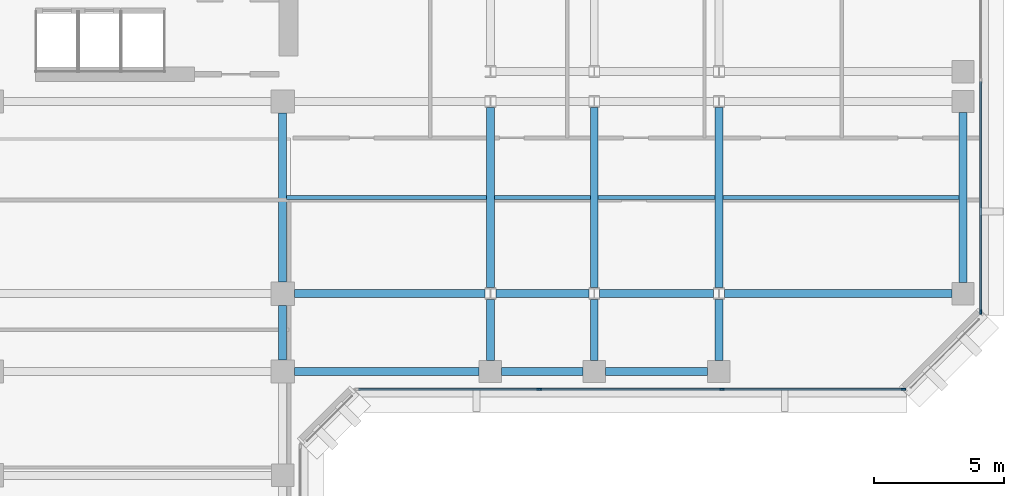
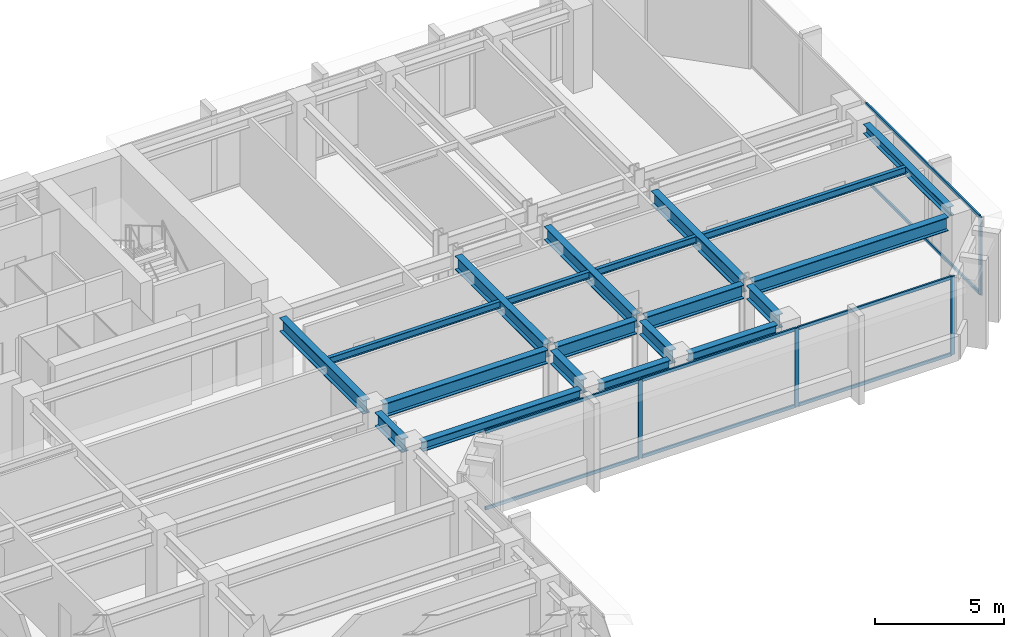
# One storey, part 3 of 11: 20 beams, 12 members, 2 elements without a shape of their own.
"""IFC4 building model written with IfcOpenShell, lengths in metres."""

from ifc_helpers import new_model, si_unit, direction, frame, origin, origin_2d, place, context, subcontext, project, spatial, rectangle, i_section, extrude, material, layer, layer_set, material_profile, profile_set, type_object, element, aggregate, save


model = new_model("IFC4")

# Units and contexts
model_context = context("Model", 3, precision=1e-05, world=origin(), true_north=direction((0.0, 1.0)))
body_context = subcontext(model_context, "Body", "Model", "MODEL_VIEW")
ifc_project = project(units=[si_unit("LENGTHUNIT", "METRE"), si_unit("AREAUNIT", "SQUARE_METRE"), si_unit("VOLUMEUNIT", "CUBIC_METRE"), si_unit("PLANEANGLEUNIT", "RADIAN"), si_unit("MASSUNIT", "GRAM", prefix="KILO")], contexts=[model_context])

# Site, building, storey
site_placement = place(None, origin())
site = spatial("IfcSite", under=ifc_project, at=site_placement, CompositionType="ELEMENT")
building_placement = place(site_placement, origin())
building = spatial("IfcBuilding", under=site, at=building_placement, Name="Kefirva Bronze Tower", CompositionType="ELEMENT")
storey_placement = place(building_placement, frame((0.0, 0.0, 187.43994140625)))
storey = spatial("IfcBuildingStorey", under=building, at=storey_placement, Name="L45", CompositionType="ELEMENT", Elevation=187.43994140625)

# Curtain wall, members
ifc_material_1 = material(Name="Bronze anodised aluminium", Category="aluminium")
ifc_layer = layer(ifc_material_1, 0.199951171875, Name="Bronze anodised aluminium")
ifc_layer_set = layer_set([ifc_layer], Name="Bronze anodised aluminium")
curtain_wall_type = type_object("IfcCurtainWallType", Name="Unitised Bronze Ribbon Curtain Wall Zone 2", PredefinedType="USERDEFINED", material=ifc_layer_set)
curtain_wall_1_placement = place(storey_placement, origin())
curtain_wall_1 = element("IfcCurtainWall", 1, at=curtain_wall_1_placement, inside=storey, type_object=curtain_wall_type, Name="L45 Curtain Wall 3", ObjectType="UNITISED CURTAIN WALL", PredefinedType="USERDEFINED")
ifc_material_profile_1 = material_profile(ifc_material_1, rectangle(XDim=0.074951171875, YDim=0.179931640625, at=origin_2d()), Name="ALU 75x180")
ifc_profile_set_1 = profile_set([ifc_material_profile_1], Name="Bronze anodised aluminium")
member_type_1 = type_object("IfcMemberType", Name="Bronze Mullion 75x180", PredefinedType="MULLION", material=ifc_profile_set_1)
member_1_placement = place(storey_placement, frame((33.0849609375, 22.1201171875, 0.0), z_axis=(0.0, 0.0, 1.0), x_axis=(0.0, 1.0, 0.0)))
member_1 = element("IfcMember", 2, at=member_1_placement, type_object=member_type_1, Name="CW-02 mullion 2", PredefinedType="MULLION", context=body_context, shape_type="SweptSolid", body=[
    extrude(rectangle(XDim=0.074951171875, YDim=0.179931640625, at=origin_2d()), origin(), (0.0, 0.0, 1.0), 3.7099609375),
])
member_2_placement = place(storey_placement, frame((40.114990234375, 22.1201171875, 0.0), z_axis=(0.0, 0.0, 1.0), x_axis=(0.0, 1.0, 0.0)))
member_2 = element("IfcMember", 3, at=member_2_placement, type_object=member_type_1, Name="CW-02 mullion 3", PredefinedType="MULLION", context=body_context, shape_type="SweptSolid", body=[
    extrude(rectangle(XDim=0.074951171875, YDim=0.179931640625, at=origin_2d()), origin(), (0.0, 0.0, 1.0), 3.7099609375),
])
member_3_placement = place(storey_placement, frame((47.107421875, 22.1201171875, 0.0), z_axis=(0.0, 0.0, 1.0), x_axis=(0.0, 1.0, 0.0)))
member_3 = element("IfcMember", 4, at=member_3_placement, type_object=member_type_1, Name="CW-02 mullion 4", PredefinedType="MULLION", context=body_context, shape_type="SweptSolid", body=[
    extrude(rectangle(XDim=0.074951171875, YDim=0.179931640625, at=origin_2d()), origin(), (0.0, 0.0, 1.0), 3.7099609375),
])

# Curtain wall, member
curtain_wall_2_placement = place(storey_placement, origin())
curtain_wall_2 = element("IfcCurtainWall", 5, at=curtain_wall_2_placement, inside=storey, type_object=curtain_wall_type, Name="L45 Curtain Wall 4", ObjectType="UNITISED CURTAIN WALL", PredefinedType="USERDEFINED")
member_4_placement = place(storey_placement, frame((50.080078125, 25.092529296875, 0.0), z_axis=(0.0, 0.0, 1.0), x_axis=(-1.0, 0.0, 0.0)))
member_4 = element("IfcMember", 6, at=member_4_placement, type_object=member_type_1, Name="CW-02 mullion 1", PredefinedType="MULLION", context=body_context, shape_type="SweptSolid", body=[
    extrude(rectangle(XDim=0.074951171875, YDim=0.179931640625, at=origin_2d()), origin(), (0.0, 0.0, 1.0), 3.7099609375),
])

# Member
ifc_material_profile_2 = material_profile(ifc_material_1, rectangle(XDim=0.074951171875, YDim=0.14990234375, at=origin_2d()), Name="ALU 75x150")
ifc_profile_set_2 = profile_set([ifc_material_profile_2], Name="Bronze anodised aluminium")
member_type_2 = type_object("IfcMemberType", Name="Bronze Transom 75x150", PredefinedType="USERDEFINED", material=ifc_profile_set_2)
member_5_placement = place(storey_placement, frame((26.1298828125, 22.1201171875, 0.03759765625), z_axis=(1.0, 0.0, 0.0), x_axis=(0.0, 1.0, 0.0)))
member_5 = element("IfcMember", 7, at=member_5_placement, type_object=member_type_2, Name="CW-02 transom 1.1", ObjectType="TRANSOM", PredefinedType="USERDEFINED", context=body_context, shape_type="SweptSolid", body=[
    extrude(rectangle(XDim=0.074951171875, YDim=0.14990234375, at=origin_2d()), origin(), (0.0, 0.0, 1.0), 6.917724609375),
])

member_6_placement = place(storey_placement, frame((26.1298828125, 22.1201171875, 3.672607421875), z_axis=(1.0, 0.0, 0.0), x_axis=(0.0, 1.0, 0.0)))
member_6 = element("IfcMember", 8, at=member_6_placement, type_object=member_type_2, Name="CW-02 transom 1.2", ObjectType="TRANSOM", PredefinedType="USERDEFINED", context=body_context, shape_type="SweptSolid", body=[
    extrude(rectangle(XDim=0.074951171875, YDim=0.14990234375, at=origin_2d()), origin(), (0.0, 0.0, 1.0), 6.917724609375),
])

member_7_placement = place(storey_placement, frame((33.12255859375, 22.1201171875, 0.03759765625), z_axis=(1.0, 0.0, 0.0), x_axis=(0.0, 1.0, 0.0)))
member_7 = element("IfcMember", 9, at=member_7_placement, type_object=member_type_2, Name="CW-02 transom 2.1", ObjectType="TRANSOM", PredefinedType="USERDEFINED", context=body_context, shape_type="SweptSolid", body=[
    extrude(rectangle(XDim=0.074951171875, YDim=0.14990234375, at=origin_2d()), origin(), (0.0, 0.0, 1.0), 6.954833984375),
])

member_8_placement = place(storey_placement, frame((33.12255859375, 22.1201171875, 3.672607421875), z_axis=(1.0, 0.0, 0.0), x_axis=(0.0, 1.0, 0.0)))
member_8 = element("IfcMember", 10, at=member_8_placement, type_object=member_type_2, Name="CW-02 transom 2.2", ObjectType="TRANSOM", PredefinedType="USERDEFINED", context=body_context, shape_type="SweptSolid", body=[
    extrude(rectangle(XDim=0.074951171875, YDim=0.14990234375, at=origin_2d()), origin(), (0.0, 0.0, 1.0), 6.954833984375),
])

member_9_placement = place(storey_placement, frame((40.152587890625, 22.1201171875, 0.03759765625), z_axis=(1.0, 0.0, 0.0), x_axis=(0.0, 1.0, 0.0)))
member_9 = element("IfcMember", 11, at=member_9_placement, type_object=member_type_2, Name="CW-02 transom 3.1", ObjectType="TRANSOM", PredefinedType="USERDEFINED", context=body_context, shape_type="SweptSolid", body=[
    extrude(rectangle(XDim=0.074951171875, YDim=0.14990234375, at=origin_2d()), origin(), (0.0, 0.0, 1.0), 6.91748046875),
])

member_10_placement = place(storey_placement, frame((40.152587890625, 22.1201171875, 3.672607421875), z_axis=(1.0, 0.0, 0.0), x_axis=(0.0, 1.0, 0.0)))
member_10 = element("IfcMember", 12, at=member_10_placement, type_object=member_type_2, Name="CW-02 transom 3.2", ObjectType="TRANSOM", PredefinedType="USERDEFINED", context=body_context, shape_type="SweptSolid", body=[
    extrude(rectangle(XDim=0.074951171875, YDim=0.14990234375, at=origin_2d()), origin(), (0.0, 0.0, 1.0), 6.91748046875),
])

aggregate(curtain_wall_1, [member_1, member_2, member_3, member_5, member_6, member_7, member_8, member_9, member_10])

member_11_placement = place(storey_placement, frame((50.080078125, 25.1298828125, 0.03759765625), z_axis=(0.0, 1.0, 0.0), x_axis=(-1.0, 0.0, 0.0)))
member_11 = element("IfcMember", 13, at=member_11_placement, type_object=member_type_2, Name="CW-02 transom 1.1", ObjectType="TRANSOM", PredefinedType="USERDEFINED", context=body_context, shape_type="SweptSolid", body=[
    extrude(rectangle(XDim=0.074951171875, YDim=0.14990234375, at=origin_2d()), origin(), (0.0, 0.0, 1.0), 8.83251953125),
])

member_12_placement = place(storey_placement, frame((50.080078125, 25.1298828125, 3.672607421875), z_axis=(0.0, 1.0, 0.0), x_axis=(-1.0, 0.0, 0.0)))
member_12 = element("IfcMember", 14, at=member_12_placement, type_object=member_type_2, Name="CW-02 transom 1.2", ObjectType="TRANSOM", PredefinedType="USERDEFINED", context=body_context, shape_type="SweptSolid", body=[
    extrude(rectangle(XDim=0.074951171875, YDim=0.14990234375, at=origin_2d()), origin(), (0.0, 0.0, 1.0), 8.83251953125),
])

aggregate(curtain_wall_2, [member_4, member_11, member_12])

# Beams
ifc_material_2 = material(Name="Steel S355", Category="steel")
ifc_material_profile_3 = material_profile(ifc_material_2, i_section(OverallWidth=0.159912109375, OverallDepth=0.330078125, WebThickness=0.007568359375, FlangeThickness=0.011474609375, at=origin_2d()), Name="IPE 330")
ifc_profile_set_3 = profile_set([ifc_material_profile_3], Name="Steel S355")
beam_type_1 = type_object("IfcBeamType", Name="Steel Floor Joist IPE 330", PredefinedType="JOIST", material=ifc_profile_set_3)
beam_1_placement = place(storey_placement, frame((23.35009765625, 29.5, 3.545166015625), z_axis=(1.0, 0.0, 0.0), x_axis=(0.0, 1.0, 0.0)))
element("IfcBeam", 15, at=beam_1_placement, inside=storey, type_object=beam_type_1, Name="L45 JST-L45-23-295", PredefinedType="JOIST", context=body_context, shape_type="SweptSolid", body=[
    extrude(i_section(OverallWidth=0.159912109375, OverallDepth=0.330078125, WebThickness=0.007568359375, FlangeThickness=0.011474609375, at=origin_2d()), origin(), (0.0, 0.0, 1.0), 7.699951171875),
])
beam_2_placement = place(storey_placement, frame((31.35009765625, 29.5, 3.545166015625), z_axis=(1.0, 0.0, 0.0), x_axis=(0.0, 1.0, 0.0)))
element("IfcBeam", 16, at=beam_2_placement, inside=storey, type_object=beam_type_1, Name="L45 JST-L45-31-295", PredefinedType="JOIST", context=body_context, shape_type="SweptSolid", body=[
    extrude(i_section(OverallWidth=0.159912109375, OverallDepth=0.330078125, WebThickness=0.007568359375, FlangeThickness=0.011474609375, at=origin_2d()), origin(), (0.0, 0.0, 1.0), 3.699951171875),
])
beam_3_placement = place(storey_placement, frame((35.35009765625, 29.5, 3.545166015625), z_axis=(1.0, 0.0, 0.0), x_axis=(0.0, 1.0, 0.0)))
element("IfcBeam", 17, at=beam_3_placement, inside=storey, type_object=beam_type_1, Name="L45 JST-L45-35-295", PredefinedType="JOIST", context=body_context, shape_type="SweptSolid", body=[
    extrude(i_section(OverallWidth=0.159912109375, OverallDepth=0.330078125, WebThickness=0.007568359375, FlangeThickness=0.011474609375, at=origin_2d()), origin(), (0.0, 0.0, 1.0), 4.5),
])
beam_4_placement = place(storey_placement, frame((40.14990234375, 29.5, 3.545166015625), z_axis=(1.0, 0.0, 0.0), x_axis=(0.0, 1.0, 0.0)))
element("IfcBeam", 18, at=beam_4_placement, inside=storey, type_object=beam_type_1, Name="L45 JST-L45-40-295", PredefinedType="JOIST", context=body_context, shape_type="SweptSolid", body=[
    extrude(i_section(OverallWidth=0.159912109375, OverallDepth=0.330078125, WebThickness=0.007568359375, FlangeThickness=0.011474609375, at=origin_2d()), origin(), (0.0, 0.0, 1.0), 9.10009765625),
])
ifc_material_profile_4 = material_profile(ifc_material_2, i_section(OverallWidth=0.300048828125, OverallDepth=0.64990234375, WebThickness=0.01611328125, FlangeThickness=0.031005859375, at=origin_2d()), Name="HEB 650")
ifc_profile_set_4 = profile_set([ifc_material_profile_4], Name="Steel S355")
beam_type_2 = type_object("IfcBeamType", Name="Steel Girder HEB 650", PredefinedType="USERDEFINED", material=ifc_profile_set_4)
beam_5_placement = place(storey_placement, frame((23.64990234375, 25.800048828125, 3.385009765625), z_axis=(1.0, 0.0, 0.0), x_axis=(0.0, 1.0, 0.0)))
element("IfcBeam", 19, at=beam_5_placement, inside=storey, type_object=beam_type_2, Name="L45 BM-L45-EW-23-258", ObjectType="GIRDER", PredefinedType="USERDEFINED", context=body_context, shape_type="SweptSolid", body=[
    extrude(i_section(OverallWidth=0.300048828125, OverallDepth=0.64990234375, WebThickness=0.01611328125, FlangeThickness=0.031005859375, at=origin_2d()), origin(), (0.0, 0.0, 1.0), 7.341064453125),
])
beam_6_placement = place(storey_placement, frame((31.408935546875, 25.800048828125, 3.385009765625), z_axis=(1.0, 0.0, 0.0), x_axis=(0.0, 1.0, 0.0)))
element("IfcBeam", 20, at=beam_6_placement, inside=storey, type_object=beam_type_2, Name="L45 BM-L45-EW-31-258", ObjectType="GIRDER", PredefinedType="USERDEFINED", context=body_context, shape_type="SweptSolid", body=[
    extrude(i_section(OverallWidth=0.300048828125, OverallDepth=0.64990234375, WebThickness=0.01611328125, FlangeThickness=0.031005859375, at=origin_2d()), origin(), (0.0, 0.0, 1.0), 3.58203125),
])
beam_7_placement = place(storey_placement, frame((35.408935546875, 25.800048828125, 3.385009765625), z_axis=(1.0, 0.0, 0.0), x_axis=(0.0, 1.0, 0.0)))
element("IfcBeam", 21, at=beam_7_placement, inside=storey, type_object=beam_type_2, Name="L45 BM-L45-EW-35-258", ObjectType="GIRDER", PredefinedType="USERDEFINED", context=body_context, shape_type="SweptSolid", body=[
    extrude(i_section(OverallWidth=0.300048828125, OverallDepth=0.64990234375, WebThickness=0.01611328125, FlangeThickness=0.031005859375, at=origin_2d()), origin(), (0.0, 0.0, 1.0), 4.382080078125),
])
beam_8_placement = place(storey_placement, frame((40.208984375, 25.800048828125, 3.385009765625), z_axis=(1.0, 0.0, 0.0), x_axis=(0.0, 1.0, 0.0)))
element("IfcBeam", 22, at=beam_8_placement, inside=storey, type_object=beam_type_2, Name="L45 BM-L45-EW-40-258", ObjectType="GIRDER", PredefinedType="USERDEFINED", context=body_context, shape_type="SweptSolid", body=[
    extrude(i_section(OverallWidth=0.300048828125, OverallDepth=0.64990234375, WebThickness=0.01611328125, FlangeThickness=0.031005859375, at=origin_2d()), origin(), (0.0, 0.0, 1.0), 8.760986328125),
])
beam_9_placement = place(storey_placement, frame((23.199951171875, 23.25, 3.385009765625), z_axis=(0.0, 1.0, 0.0), x_axis=(-1.0, 0.0, 0.0)))
element("IfcBeam", 23, at=beam_9_placement, inside=storey, type_object=beam_type_2, Name="L45 BM-L45-NS-232-22", ObjectType="GIRDER", PredefinedType="USERDEFINED", context=body_context, shape_type="SweptSolid", body=[
    extrude(i_section(OverallWidth=0.300048828125, OverallDepth=0.64990234375, WebThickness=0.01611328125, FlangeThickness=0.031005859375, at=origin_2d()), origin(), (0.0, 0.0, 1.0), 2.10009765625),
])
beam_10_placement = place(storey_placement, frame((23.199951171875, 26.25, 3.385009765625), z_axis=(0.0, 1.0, 0.0), x_axis=(-1.0, 0.0, 0.0)))
element("IfcBeam", 24, at=beam_10_placement, inside=storey, type_object=beam_type_2, Name="L45 BM-L45-NS-232-25", ObjectType="GIRDER", PredefinedType="USERDEFINED", context=body_context, shape_type="SweptSolid", body=[
    extrude(i_section(OverallWidth=0.300048828125, OverallDepth=0.64990234375, WebThickness=0.01611328125, FlangeThickness=0.031005859375, at=origin_2d()), origin(), (0.0, 0.0, 1.0), 6.5),
])
beam_11_placement = place(storey_placement, frame((31.199951171875, 23.22998046875, 3.385009765625), z_axis=(0.0, 1.0, 0.0), x_axis=(-1.0, 0.0, 0.0)))
element("IfcBeam", 25, at=beam_11_placement, inside=storey, type_object=beam_type_2, Name="L45 BM-L45-NS-312-22", ObjectType="GIRDER", PredefinedType="USERDEFINED", context=body_context, shape_type="SweptSolid", body=[
    extrude(i_section(OverallWidth=0.300048828125, OverallDepth=0.64990234375, WebThickness=0.01611328125, FlangeThickness=0.031005859375, at=origin_2d()), origin(), (0.0, 0.0, 1.0), 2.342529296875),
])
beam_12_placement = place(storey_placement, frame((31.199951171875, 26.027587890625, 3.385009765625), z_axis=(0.0, 1.0, 0.0), x_axis=(-1.0, 0.0, 0.0)))
element("IfcBeam", 26, at=beam_12_placement, inside=storey, type_object=beam_type_2, Name="L45 BM-L45-NS-312-25", ObjectType="GIRDER", PredefinedType="USERDEFINED", context=body_context, shape_type="SweptSolid", body=[
    extrude(i_section(OverallWidth=0.300048828125, OverallDepth=0.64990234375, WebThickness=0.01611328125, FlangeThickness=0.031005859375, at=origin_2d()), origin(), (0.0, 0.0, 1.0), 6.94482421875),
])
beam_13_placement = place(storey_placement, frame((35.199951171875, 23.22998046875, 3.385009765625), z_axis=(0.0, 1.0, 0.0), x_axis=(-1.0, 0.0, 0.0)))
element("IfcBeam", 27, at=beam_13_placement, inside=storey, type_object=beam_type_2, Name="L45 BM-L45-NS-352-22", ObjectType="GIRDER", PredefinedType="USERDEFINED", context=body_context, shape_type="SweptSolid", body=[
    extrude(i_section(OverallWidth=0.300048828125, OverallDepth=0.64990234375, WebThickness=0.01611328125, FlangeThickness=0.031005859375, at=origin_2d()), origin(), (0.0, 0.0, 1.0), 2.342529296875),
])
beam_14_placement = place(storey_placement, frame((35.199951171875, 26.027587890625, 3.385009765625), z_axis=(0.0, 1.0, 0.0), x_axis=(-1.0, 0.0, 0.0)))
element("IfcBeam", 28, at=beam_14_placement, inside=storey, type_object=beam_type_2, Name="L45 BM-L45-NS-352-25", ObjectType="GIRDER", PredefinedType="USERDEFINED", context=body_context, shape_type="SweptSolid", body=[
    extrude(i_section(OverallWidth=0.300048828125, OverallDepth=0.64990234375, WebThickness=0.01611328125, FlangeThickness=0.031005859375, at=origin_2d()), origin(), (0.0, 0.0, 1.0), 6.94482421875),
])
beam_15_placement = place(storey_placement, frame((40.0, 23.22998046875, 3.385009765625), z_axis=(0.0, 1.0, 0.0), x_axis=(-1.0, 0.0, 0.0)))
element("IfcBeam", 29, at=beam_15_placement, inside=storey, type_object=beam_type_2, Name="L45 BM-L45-NS-400-22", ObjectType="GIRDER", PredefinedType="USERDEFINED", context=body_context, shape_type="SweptSolid", body=[
    extrude(i_section(OverallWidth=0.300048828125, OverallDepth=0.64990234375, WebThickness=0.01611328125, FlangeThickness=0.031005859375, at=origin_2d()), origin(), (0.0, 0.0, 1.0), 2.342529296875),
])
beam_16_placement = place(storey_placement, frame((40.0, 26.027587890625, 3.385009765625), z_axis=(0.0, 1.0, 0.0), x_axis=(-1.0, 0.0, 0.0)))
element("IfcBeam", 30, at=beam_16_placement, inside=storey, type_object=beam_type_2, Name="L45 BM-L45-NS-400-25", ObjectType="GIRDER", PredefinedType="USERDEFINED", context=body_context, shape_type="SweptSolid", body=[
    extrude(i_section(OverallWidth=0.300048828125, OverallDepth=0.64990234375, WebThickness=0.01611328125, FlangeThickness=0.031005859375, at=origin_2d()), origin(), (0.0, 0.0, 1.0), 6.94482421875),
])
ifc_material_profile_5 = material_profile(ifc_material_2, i_section(OverallWidth=0.300048828125, OverallDepth=0.449951171875, WebThickness=0.013916015625, FlangeThickness=0.02587890625, at=origin_2d()), Name="HEB 450")
ifc_profile_set_5 = profile_set([ifc_material_profile_5], Name="Steel S355")
beam_type_3 = type_object("IfcBeamType", Name="Steel Spandrel HEB 450 Ext", PredefinedType="SPANDREL", material=ifc_profile_set_5)
beam_17_placement = place(storey_placement, frame((23.64990234375, 22.800048828125, 3.485107421875), z_axis=(1.0, 0.0, 0.0), x_axis=(0.0, 1.0, 0.0)))
element("IfcBeam", 31, at=beam_17_placement, inside=storey, type_object=beam_type_3, Name="L45 BM-L45-EW-23-228", PredefinedType="SPANDREL", context=body_context, shape_type="SweptSolid", body=[
    extrude(i_section(OverallWidth=0.300048828125, OverallDepth=0.449951171875, WebThickness=0.013916015625, FlangeThickness=0.02587890625, at=origin_2d()), origin(), (0.0, 0.0, 1.0), 7.1201171875),
])
beam_18_placement = place(storey_placement, frame((31.6298828125, 22.800048828125, 3.485107421875), z_axis=(1.0, 0.0, 0.0), x_axis=(0.0, 1.0, 0.0)))
element("IfcBeam", 32, at=beam_18_placement, inside=storey, type_object=beam_type_3, Name="L45 BM-L45-EW-31-228", PredefinedType="SPANDREL", context=body_context, shape_type="SweptSolid", body=[
    extrude(i_section(OverallWidth=0.300048828125, OverallDepth=0.449951171875, WebThickness=0.013916015625, FlangeThickness=0.02587890625, at=origin_2d()), origin(), (0.0, 0.0, 1.0), 3.14013671875),
])
beam_19_placement = place(storey_placement, frame((35.6298828125, 22.800048828125, 3.485107421875), z_axis=(1.0, 0.0, 0.0), x_axis=(0.0, 1.0, 0.0)))
element("IfcBeam", 33, at=beam_19_placement, inside=storey, type_object=beam_type_3, Name="L45 BM-L45-EW-35-228", PredefinedType="SPANDREL", context=body_context, shape_type="SweptSolid", body=[
    extrude(i_section(OverallWidth=0.300048828125, OverallDepth=0.449951171875, WebThickness=0.013916015625, FlangeThickness=0.02587890625, at=origin_2d()), origin(), (0.0, 0.0, 1.0), 3.940185546875),
])
beam_20_placement = place(storey_placement, frame((49.39990234375, 26.22998046875, 3.485107421875), z_axis=(0.0, 1.0, 0.0), x_axis=(-1.0, 0.0, 0.0)))
element("IfcBeam", 34, at=beam_20_placement, inside=storey, type_object=beam_type_3, Name="L45 BM-L45-NS-494-25", PredefinedType="SPANDREL", context=body_context, shape_type="SweptSolid", body=[
    extrude(i_section(OverallWidth=0.300048828125, OverallDepth=0.449951171875, WebThickness=0.013916015625, FlangeThickness=0.02587890625, at=origin_2d()), origin(), (0.0, 0.0, 1.0), 6.5400390625),
])

save(model, "model.ifc")
